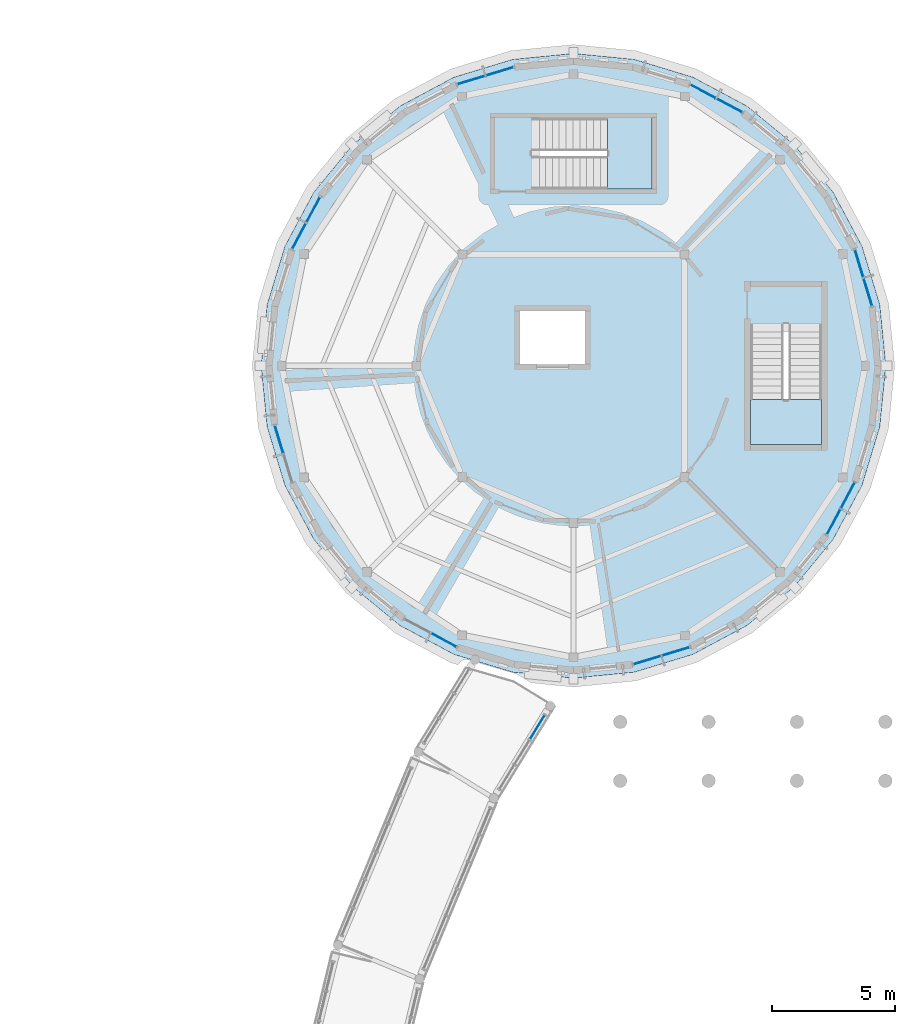
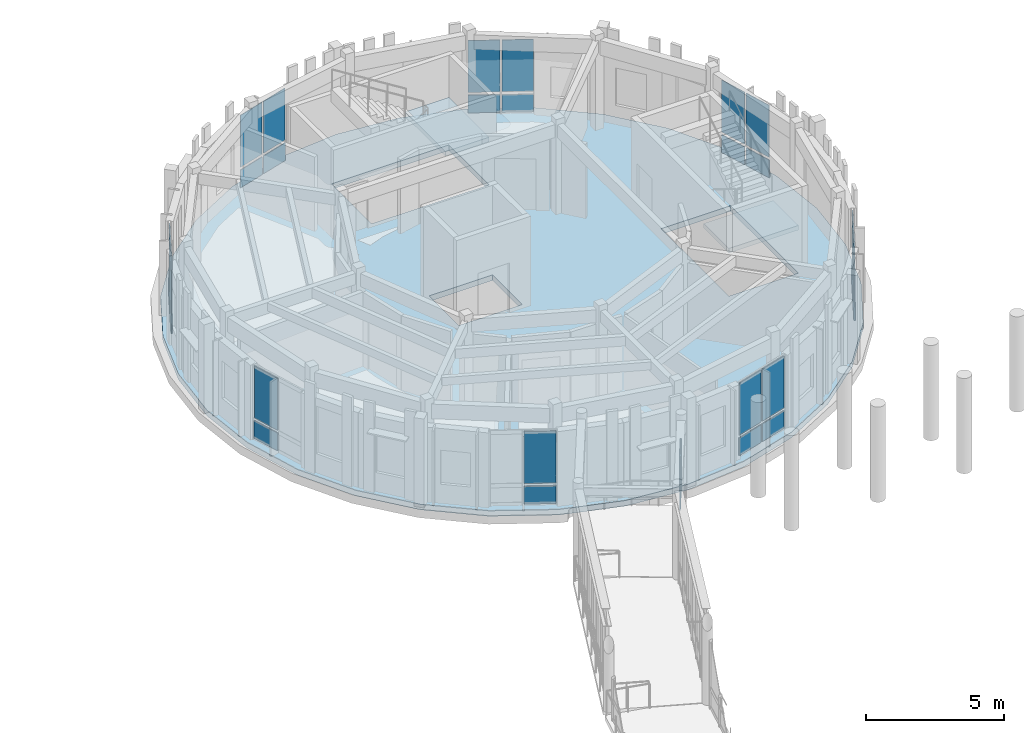
# One storey, part 42 of 80: 29 plates, 3 slabs, 11 elements without a shape of their own.
"""IFC4 building model written with IfcOpenShell, lengths in metres."""

from ifc_helpers import new_model, si_unit, direction, frame, origin, origin_2d, place, context, subcontext, project, spatial, polyline, rectangle, outline, extrude, material, layer, layer_set, type_object, element, aggregate, save


model = new_model("IFC4")

# Units and contexts
model_context = context("Model", 3, precision=1e-05, world=origin(), true_north=direction((0.0, 1.0)))
body_context = subcontext(model_context, "Body", "Model", "MODEL_VIEW")
ifc_project = project(units=[si_unit("LENGTHUNIT", "METRE"), si_unit("AREAUNIT", "SQUARE_METRE"), si_unit("VOLUMEUNIT", "CUBIC_METRE"), si_unit("PLANEANGLEUNIT", "RADIAN"), si_unit("MASSUNIT", "GRAM", prefix="KILO")], contexts=[model_context])

# Site, building, storey
site_placement = place(None, origin())
site = spatial("IfcSite", under=ifc_project, at=site_placement, CompositionType="ELEMENT")
building_placement = place(site_placement, origin())
building = spatial("IfcBuilding", under=site, at=building_placement, Name="Aldenvaro Health Centre", CompositionType="ELEMENT")
storey_placement = place(building_placement, frame((0.0, 0.0, 4.550048828125)))
storey = spatial("IfcBuildingStorey", under=building, at=storey_placement, Name="L01", CompositionType="ELEMENT", Elevation=4.550048828125)

# Curtain wall, plates
ifc_material_1 = material(Name="Anodised Aluminium 6063-T6", Category="aluminium")
ifc_layer_1 = layer(ifc_material_1, 0.195068359375, Name="Anodised Aluminium 6063-T6", Category="aluminium")
ifc_layer_set_1 = layer_set([ifc_layer_1], Name="Anodised Aluminium 6063-T6")
curtain_wall_type_1 = type_object("IfcCurtainWallType", Name="CW-CLN-02", PredefinedType="NOTDEFINED", material=ifc_layer_set_1)
curtain_wall_1_placement = place(storey_placement, origin())
curtain_wall_1 = element("IfcCurtainWall", 1, at=curtain_wall_1_placement, inside=storey, type_object=curtain_wall_type_1, Name="D2 L01 curtain wall bay 03", PredefinedType="NOTDEFINED")
ifc_material_2 = material(Name="Low-E Double Glazing IGU", Category="glass")
ifc_layer_2 = layer(ifc_material_2, 0.028076171875, Name="Low-E Double Glazing IGU", Category="glass")
ifc_layer_set_2 = layer_set([ifc_layer_2], Name="Low-E Double Glazing IGU")
plate_type_1 = type_object("IfcPlateType", Name="CWP-IGU-28", PredefinedType="CURTAIN_PANEL", material=ifc_layer_set_2)
plate_1_placement = place(storey_placement, frame((165.6689453125, 94.218994140625, 0.95947265625), z_axis=(0.0, 0.0, 1.0), x_axis=(-0.471399336159, -0.881919874971, 0.0)))
plate_1 = element("IfcPlate", 2, at=plate_1_placement, type_object=plate_type_1, Name="D2 L01 curtain wall bay 03 vision glazing 1", PredefinedType="CURTAIN_PANEL", context=body_context, shape_type="SweptSolid", body=[
    extrude(rectangle(XDim=1.14599609375, YDim=0.028076171875, at=origin_2d()), origin(), (0.0, 0.0, 1.0), 2.2890625),
])
plate_2_placement = place(storey_placement, frame((165.095947265625, 93.14697265625, 0.95947265625), z_axis=(0.0, 0.0, 1.0), x_axis=(-0.471399336159, -0.881919874971, 0.0)))
plate_2 = element("IfcPlate", 3, at=plate_2_placement, type_object=plate_type_1, Name="D2 L01 curtain wall bay 03 vision glazing 2", PredefinedType="CURTAIN_PANEL", context=body_context, shape_type="SweptSolid", body=[
    extrude(rectangle(XDim=1.14599609375, YDim=0.028076171875, at=origin_2d()), origin(), (0.0, 0.0, 1.0), 2.2890625),
])

curtain_wall_2_placement = place(storey_placement, origin())
curtain_wall_2 = element("IfcCurtainWall", 4, at=curtain_wall_2_placement, inside=storey, type_object=curtain_wall_type_1, Name="D2 L01 curtain wall bay 07", PredefinedType="NOTDEFINED")
plate_3_placement = place(storey_placement, frame((158.6630859375, 87.866943359375, 0.95947265625), z_axis=(0.0, 0.0, 1.0), x_axis=(-0.956892827403, -0.290441245116, 0.0)))
plate_3 = element("IfcPlate", 5, at=plate_3_placement, type_object=plate_type_1, Name="D2 L01 curtain wall bay 07 vision glazing 1", PredefinedType="CURTAIN_PANEL", context=body_context, shape_type="SweptSolid", body=[
    extrude(rectangle(XDim=1.14501953125, YDim=0.028076171875, at=origin_2d()), origin(), (0.0, 0.0, 1.0), 2.2890625),
])
plate_4_placement = place(storey_placement, frame((157.5009765625, 87.513916015625, 0.95947265625), z_axis=(0.0, 0.0, 1.0), x_axis=(-0.956892827403, -0.290441245116, 0.0)))
plate_4 = element("IfcPlate", 6, at=plate_4_placement, type_object=plate_type_1, Name="D2 L01 curtain wall bay 07 vision glazing 2", PredefinedType="CURTAIN_PANEL", context=body_context, shape_type="SweptSolid", body=[
    extrude(rectangle(XDim=1.14501953125, YDim=0.028076171875, at=origin_2d()), origin(), (0.0, 0.0, 1.0), 2.2890625),
])

# Curtain wall, plate
curtain_wall_3_placement = place(storey_placement, origin())
curtain_wall_3 = element("IfcCurtainWall", 7, at=curtain_wall_3_placement, inside=storey, type_object=curtain_wall_type_1, Name="D2 L01 curtain wall bay 11", PredefinedType="NOTDEFINED")
plate_5_placement = place(storey_placement, frame((149.218994140625, 88.3310546875, 0.95947265625), z_axis=(0.0, 0.0, 1.0), x_axis=(-0.881919874971, 0.471399336159, 0.0)))
plate_5 = element("IfcPlate", 8, at=plate_5_placement, type_object=plate_type_1, Name="D2 L01 curtain wall bay 11 vision glazing 1", PredefinedType="CURTAIN_PANEL", context=body_context, shape_type="SweptSolid", body=[
    extrude(rectangle(XDim=1.14599609375, YDim=0.028076171875, at=origin_2d()), origin(), (0.0, 0.0, 1.0), 2.2890625),
])

curtain_wall_4_placement = place(storey_placement, origin())
curtain_wall_4 = element("IfcCurtainWall", 9, at=curtain_wall_4_placement, inside=storey, type_object=curtain_wall_type_1, Name="D2 L01 curtain wall bay 15", PredefinedType="NOTDEFINED")
plate_6_placement = place(storey_placement, frame((142.513916015625, 96.4990234375, 0.95947265625), z_axis=(0.0, 0.0, 1.0), x_axis=(-0.290441245116, 0.956892827403, 0.0)))
plate_6 = element("IfcPlate", 10, at=plate_6_placement, type_object=plate_type_1, Name="D2 L01 curtain wall bay 15 vision glazing 2", PredefinedType="CURTAIN_PANEL", context=body_context, shape_type="SweptSolid", body=[
    extrude(rectangle(XDim=1.14501953125, YDim=0.028076171875, at=origin_2d()), origin(), (0.0, 0.0, 1.0), 2.2890625),
])

# Curtain wall, plates
curtain_wall_5_placement = place(storey_placement, origin())
curtain_wall_5 = element("IfcCurtainWall", 11, at=curtain_wall_5_placement, inside=storey, type_object=curtain_wall_type_1, Name="D2 L01 curtain wall bay 19", PredefinedType="NOTDEFINED")
plate_7_placement = place(storey_placement, frame((143.3310546875, 104.781005859375, 0.95947265625), z_axis=(0.0, 0.0, 1.0), x_axis=(0.471399336159, 0.881919874971, 0.0)))
plate_7 = element("IfcPlate", 12, at=plate_7_placement, type_object=plate_type_1, Name="D2 L01 curtain wall bay 19 vision glazing 1", PredefinedType="CURTAIN_PANEL", context=body_context, shape_type="SweptSolid", body=[
    extrude(rectangle(XDim=1.14599609375, YDim=0.028076171875, at=origin_2d()), origin(), (0.0, 0.0, 1.0), 2.2890625),
])
plate_8_placement = place(storey_placement, frame((143.904052734375, 105.85302734375, 0.95947265625), z_axis=(0.0, 0.0, 1.0), x_axis=(0.471399336159, 0.881919874971, 0.0)))
plate_8 = element("IfcPlate", 13, at=plate_8_placement, type_object=plate_type_1, Name="D2 L01 curtain wall bay 19 vision glazing 2", PredefinedType="CURTAIN_PANEL", context=body_context, shape_type="SweptSolid", body=[
    extrude(rectangle(XDim=1.14599609375, YDim=0.028076171875, at=origin_2d()), origin(), (0.0, 0.0, 1.0), 2.2890625),
])

curtain_wall_6_placement = place(storey_placement, origin())
curtain_wall_6 = element("IfcCurtainWall", 14, at=curtain_wall_6_placement, inside=storey, type_object=curtain_wall_type_1, Name="D2 L01 curtain wall bay 23", PredefinedType="NOTDEFINED")
plate_9_placement = place(storey_placement, frame((150.3369140625, 111.133056640625, 0.95947265625), z_axis=(0.0, 0.0, 1.0), x_axis=(0.956892827403, 0.290441245116, 0.0)))
plate_9 = element("IfcPlate", 15, at=plate_9_placement, type_object=plate_type_1, Name="D2 L01 curtain wall bay 23 vision glazing 1", PredefinedType="CURTAIN_PANEL", context=body_context, shape_type="SweptSolid", body=[
    extrude(rectangle(XDim=1.14501953125, YDim=0.028076171875, at=origin_2d()), origin(), (0.0, 0.0, 1.0), 2.2890625),
])
plate_10_placement = place(storey_placement, frame((151.4990234375, 111.486083984375, 0.95947265625), z_axis=(0.0, 0.0, 1.0), x_axis=(0.956892827403, 0.290441245116, 0.0)))
plate_10 = element("IfcPlate", 16, at=plate_10_placement, type_object=plate_type_1, Name="D2 L01 curtain wall bay 23 vision glazing 2", PredefinedType="CURTAIN_PANEL", context=body_context, shape_type="SweptSolid", body=[
    extrude(rectangle(XDim=1.14501953125, YDim=0.028076171875, at=origin_2d()), origin(), (0.0, 0.0, 1.0), 2.2890625),
])

curtain_wall_7_placement = place(storey_placement, origin())
curtain_wall_7 = element("IfcCurtainWall", 17, at=curtain_wall_7_placement, inside=storey, type_object=curtain_wall_type_1, Name="D2 L01 curtain wall bay 27", PredefinedType="NOTDEFINED")
plate_11_placement = place(storey_placement, frame((159.781005859375, 110.6689453125, 0.95947265625), z_axis=(0.0, 0.0, 1.0), x_axis=(0.881919874971, -0.471399336159, 0.0)))
plate_11 = element("IfcPlate", 18, at=plate_11_placement, type_object=plate_type_1, Name="D2 L01 curtain wall bay 27 vision glazing 1", PredefinedType="CURTAIN_PANEL", context=body_context, shape_type="SweptSolid", body=[
    extrude(rectangle(XDim=1.14599609375, YDim=0.028076171875, at=origin_2d()), origin(), (0.0, 0.0, 1.0), 2.2890625),
])
plate_12_placement = place(storey_placement, frame((160.85302734375, 110.096923828125, 0.95947265625), z_axis=(0.0, 0.0, 1.0), x_axis=(0.881919874971, -0.471399336159, 0.0)))
plate_12 = element("IfcPlate", 19, at=plate_12_placement, type_object=plate_type_1, Name="D2 L01 curtain wall bay 27 vision glazing 2", PredefinedType="CURTAIN_PANEL", context=body_context, shape_type="SweptSolid", body=[
    extrude(rectangle(XDim=1.14599609375, YDim=0.028076171875, at=origin_2d()), origin(), (0.0, 0.0, 1.0), 2.2890625),
])

curtain_wall_8_placement = place(storey_placement, origin())
curtain_wall_8 = element("IfcCurtainWall", 20, at=curtain_wall_8_placement, inside=storey, type_object=curtain_wall_type_1, Name="D2 L01 curtain wall bay 31", PredefinedType="NOTDEFINED")
plate_13_placement = place(storey_placement, frame((166.132080078125, 103.6630859375, 0.95947265625), z_axis=(0.0, 0.0, 1.0), x_axis=(0.290441245116, -0.956892827403, 0.0)))
plate_13 = element("IfcPlate", 21, at=plate_13_placement, type_object=plate_type_1, Name="D2 L01 curtain wall bay 31 vision glazing 1", PredefinedType="CURTAIN_PANEL", context=body_context, shape_type="SweptSolid", body=[
    extrude(rectangle(XDim=1.14501953125, YDim=0.028076171875, at=origin_2d()), origin(), (0.0, 0.0, 1.0), 2.2890625),
])
plate_14_placement = place(storey_placement, frame((166.486083984375, 102.5009765625, 0.95947265625), z_axis=(0.0, 0.0, 1.0), x_axis=(0.290441245116, -0.956892827403, 0.0)))
plate_14 = element("IfcPlate", 22, at=plate_14_placement, type_object=plate_type_1, Name="D2 L01 curtain wall bay 31 vision glazing 2", PredefinedType="CURTAIN_PANEL", context=body_context, shape_type="SweptSolid", body=[
    extrude(rectangle(XDim=1.14501953125, YDim=0.028076171875, at=origin_2d()), origin(), (0.0, 0.0, 1.0), 2.2890625),
])

# Curtain wall, plate
ifc_layer_3 = layer(ifc_material_1, 0.2099609375, Name="Anodised Aluminium 6063-T6", Category="aluminium")
ifc_layer_set_3 = layer_set([ifc_layer_3], Name="Anodised Aluminium 6063-T6")
curtain_wall_type_2 = type_object("IfcCurtainWallType", Name="CW-BRG-03", PredefinedType="NOTDEFINED", material=ifc_layer_set_3)
curtain_wall_9_placement = place(storey_placement, origin())
curtain_wall_9 = element("IfcCurtainWall", 23, at=curtain_wall_9_placement, inside=storey, type_object=curtain_wall_type_2, Name="East Curved Garden Colonnade Arc 1 L01 glazed link wall L-1.1", PredefinedType="NOTDEFINED")
plate_15_placement = place(storey_placement, frame((153.028076171875, 84.783935546875, 0.9599609375), z_axis=(0.0, 0.0, 1.0), x_axis=(-0.522437044215, -0.852677861113, 0.0)))
plate_15 = element("IfcPlate", 24, at=plate_15_placement, type_object=plate_type_1, Name="East Curved Garden Colonnade Arc 1 L01 glazed link wall L-1.1 vision glazing 1", PredefinedType="CURTAIN_PANEL", context=body_context, shape_type="SweptSolid", body=[
    extrude(rectangle(XDim=1.117919921875, YDim=0.028076171875, at=origin_2d()), origin(), (0.0, 0.0, 1.0), 2.389892578125),
])
aggregate(curtain_wall_9, [plate_15])

# Plate
ifc_material_3 = material(Name="Insulated Aluminium Spandrel", Category="aluminium")
ifc_layer_4 = layer(ifc_material_3, 0.035888671875, Name="Insulated Aluminium Spandrel", Category="aluminium")
ifc_layer_set_4 = layer_set([ifc_layer_4], Name="Insulated Aluminium Spandrel")
plate_type_2 = type_object("IfcPlateType", Name="CWP-SPN-36", PredefinedType="CURTAIN_PANEL", material=ifc_layer_set_4)
plate_16_placement = place(storey_placement, frame((165.6689453125, 94.218994140625, 0.06005859375), z_axis=(0.0, 0.0, 1.0), x_axis=(-0.471399336159, -0.881919874971, 0.0)))
plate_16 = element("IfcPlate", 25, at=plate_16_placement, type_object=plate_type_2, Name="D2 L01 curtain wall bay 03 spandrel panel 1", PredefinedType="CURTAIN_PANEL", context=body_context, shape_type="SweptSolid", body=[
    extrude(rectangle(XDim=1.14599609375, YDim=0.035888671875, at=origin_2d()), origin(), (0.0, 0.0, 1.0), 0.780029296875),
])

plate_17_placement = place(storey_placement, frame((165.095947265625, 93.14697265625, 0.06005859375), z_axis=(0.0, 0.0, 1.0), x_axis=(-0.471399336159, -0.881919874971, 0.0)))
plate_17 = element("IfcPlate", 26, at=plate_17_placement, type_object=plate_type_2, Name="D2 L01 curtain wall bay 03 spandrel panel 2", PredefinedType="CURTAIN_PANEL", context=body_context, shape_type="SweptSolid", body=[
    extrude(rectangle(XDim=1.14599609375, YDim=0.035888671875, at=origin_2d()), origin(), (0.0, 0.0, 1.0), 0.780029296875),
])

aggregate(curtain_wall_1, [plate_16, plate_1, plate_17, plate_2])

plate_18_placement = place(storey_placement, frame((158.6630859375, 87.866943359375, 0.06005859375), z_axis=(0.0, 0.0, 1.0), x_axis=(-0.956892827403, -0.290441245116, 0.0)))
plate_18 = element("IfcPlate", 27, at=plate_18_placement, type_object=plate_type_2, Name="D2 L01 curtain wall bay 07 spandrel panel 1", PredefinedType="CURTAIN_PANEL", context=body_context, shape_type="SweptSolid", body=[
    extrude(rectangle(XDim=1.14501953125, YDim=0.035888671875, at=origin_2d()), origin(), (0.0, 0.0, 1.0), 0.780029296875),
])

plate_19_placement = place(storey_placement, frame((157.5009765625, 87.513916015625, 0.06005859375), z_axis=(0.0, 0.0, 1.0), x_axis=(-0.956892827403, -0.290441245116, 0.0)))
plate_19 = element("IfcPlate", 28, at=plate_19_placement, type_object=plate_type_2, Name="D2 L01 curtain wall bay 07 spandrel panel 2", PredefinedType="CURTAIN_PANEL", context=body_context, shape_type="SweptSolid", body=[
    extrude(rectangle(XDim=1.14501953125, YDim=0.035888671875, at=origin_2d()), origin(), (0.0, 0.0, 1.0), 0.780029296875),
])

aggregate(curtain_wall_2, [plate_18, plate_3, plate_19, plate_4])

plate_20_placement = place(storey_placement, frame((149.218994140625, 88.3310546875, 0.06005859375), z_axis=(0.0, 0.0, 1.0), x_axis=(-0.881919874971, 0.471399336159, 0.0)))
plate_20 = element("IfcPlate", 29, at=plate_20_placement, type_object=plate_type_2, Name="D2 L01 curtain wall bay 11 spandrel panel 1", PredefinedType="CURTAIN_PANEL", context=body_context, shape_type="SweptSolid", body=[
    extrude(rectangle(XDim=1.14599609375, YDim=0.035888671875, at=origin_2d()), origin(), (0.0, 0.0, 1.0), 0.780029296875),
])

aggregate(curtain_wall_3, [plate_20, plate_5])

plate_21_placement = place(storey_placement, frame((142.513916015625, 96.4990234375, 0.06005859375), z_axis=(0.0, 0.0, 1.0), x_axis=(-0.290441245116, 0.956892827403, 0.0)))
plate_21 = element("IfcPlate", 30, at=plate_21_placement, type_object=plate_type_2, Name="D2 L01 curtain wall bay 15 spandrel panel 2", PredefinedType="CURTAIN_PANEL", context=body_context, shape_type="SweptSolid", body=[
    extrude(rectangle(XDim=1.14501953125, YDim=0.035888671875, at=origin_2d()), origin(), (0.0, 0.0, 1.0), 0.780029296875),
])

aggregate(curtain_wall_4, [plate_21, plate_6])

plate_22_placement = place(storey_placement, frame((143.3310546875, 104.781005859375, 0.06005859375), z_axis=(0.0, 0.0, 1.0), x_axis=(0.471399336159, 0.881919874971, 0.0)))
plate_22 = element("IfcPlate", 31, at=plate_22_placement, type_object=plate_type_2, Name="D2 L01 curtain wall bay 19 spandrel panel 1", PredefinedType="CURTAIN_PANEL", context=body_context, shape_type="SweptSolid", body=[
    extrude(rectangle(XDim=1.14599609375, YDim=0.035888671875, at=origin_2d()), origin(), (0.0, 0.0, 1.0), 0.780029296875),
])

plate_23_placement = place(storey_placement, frame((143.904052734375, 105.85302734375, 0.06005859375), z_axis=(0.0, 0.0, 1.0), x_axis=(0.471399336159, 0.881919874971, 0.0)))
plate_23 = element("IfcPlate", 32, at=plate_23_placement, type_object=plate_type_2, Name="D2 L01 curtain wall bay 19 spandrel panel 2", PredefinedType="CURTAIN_PANEL", context=body_context, shape_type="SweptSolid", body=[
    extrude(rectangle(XDim=1.14599609375, YDim=0.035888671875, at=origin_2d()), origin(), (0.0, 0.0, 1.0), 0.780029296875),
])

aggregate(curtain_wall_5, [plate_22, plate_7, plate_23, plate_8])

plate_24_placement = place(storey_placement, frame((150.3369140625, 111.133056640625, 0.06005859375), z_axis=(0.0, 0.0, 1.0), x_axis=(0.956892827403, 0.290441245116, 0.0)))
plate_24 = element("IfcPlate", 33, at=plate_24_placement, type_object=plate_type_2, Name="D2 L01 curtain wall bay 23 spandrel panel 1", PredefinedType="CURTAIN_PANEL", context=body_context, shape_type="SweptSolid", body=[
    extrude(rectangle(XDim=1.14501953125, YDim=0.035888671875, at=origin_2d()), origin(), (0.0, 0.0, 1.0), 0.780029296875),
])

plate_25_placement = place(storey_placement, frame((151.4990234375, 111.486083984375, 0.06005859375), z_axis=(0.0, 0.0, 1.0), x_axis=(0.956892827403, 0.290441245116, 0.0)))
plate_25 = element("IfcPlate", 34, at=plate_25_placement, type_object=plate_type_2, Name="D2 L01 curtain wall bay 23 spandrel panel 2", PredefinedType="CURTAIN_PANEL", context=body_context, shape_type="SweptSolid", body=[
    extrude(rectangle(XDim=1.14501953125, YDim=0.035888671875, at=origin_2d()), origin(), (0.0, 0.0, 1.0), 0.780029296875),
])

aggregate(curtain_wall_6, [plate_24, plate_9, plate_25, plate_10])

plate_26_placement = place(storey_placement, frame((159.781005859375, 110.6689453125, 0.06005859375), z_axis=(0.0, 0.0, 1.0), x_axis=(0.881919874971, -0.471399336159, 0.0)))
plate_26 = element("IfcPlate", 35, at=plate_26_placement, type_object=plate_type_2, Name="D2 L01 curtain wall bay 27 spandrel panel 1", PredefinedType="CURTAIN_PANEL", context=body_context, shape_type="SweptSolid", body=[
    extrude(rectangle(XDim=1.14599609375, YDim=0.035888671875, at=origin_2d()), origin(), (0.0, 0.0, 1.0), 0.780029296875),
])

plate_27_placement = place(storey_placement, frame((160.85302734375, 110.096923828125, 0.06005859375), z_axis=(0.0, 0.0, 1.0), x_axis=(0.881919874971, -0.471399336159, 0.0)))
plate_27 = element("IfcPlate", 36, at=plate_27_placement, type_object=plate_type_2, Name="D2 L01 curtain wall bay 27 spandrel panel 2", PredefinedType="CURTAIN_PANEL", context=body_context, shape_type="SweptSolid", body=[
    extrude(rectangle(XDim=1.14599609375, YDim=0.035888671875, at=origin_2d()), origin(), (0.0, 0.0, 1.0), 0.780029296875),
])

aggregate(curtain_wall_7, [plate_26, plate_11, plate_27, plate_12])

plate_28_placement = place(storey_placement, frame((166.132080078125, 103.6630859375, 0.06005859375), z_axis=(0.0, 0.0, 1.0), x_axis=(0.290441245116, -0.956892827403, 0.0)))
plate_28 = element("IfcPlate", 37, at=plate_28_placement, type_object=plate_type_2, Name="D2 L01 curtain wall bay 31 spandrel panel 1", PredefinedType="CURTAIN_PANEL", context=body_context, shape_type="SweptSolid", body=[
    extrude(rectangle(XDim=1.14501953125, YDim=0.035888671875, at=origin_2d()), origin(), (0.0, 0.0, 1.0), 0.780029296875),
])

plate_29_placement = place(storey_placement, frame((166.486083984375, 102.5009765625, 0.06005859375), z_axis=(0.0, 0.0, 1.0), x_axis=(0.290441245116, -0.956892827403, 0.0)))
plate_29 = element("IfcPlate", 38, at=plate_29_placement, type_object=plate_type_2, Name="D2 L01 curtain wall bay 31 spandrel panel 2", PredefinedType="CURTAIN_PANEL", context=body_context, shape_type="SweptSolid", body=[
    extrude(rectangle(XDim=1.14501953125, YDim=0.035888671875, at=origin_2d()), origin(), (0.0, 0.0, 1.0), 0.780029296875),
])

aggregate(curtain_wall_8, [plate_28, plate_13, plate_29, plate_14])

# Slab
ifc_material_4 = material(Name="Cross-laminated timber CLT E1", Category="wood")
ifc_layer_5 = layer(ifc_material_4, 0.2451171875, Name="Cross-laminated timber CLT E1", Category="wood")
ifc_layer_set_5 = layer_set([ifc_layer_5], Name="Cross-laminated timber CLT E1")
slab_type_1 = type_object("IfcSlabType", Name="SLB-CLT-245", PredefinedType="FLOOR", material=ifc_layer_set_5)
slab_1_placement = place(storey_placement, frame((0.0, 0.0, -0.2451171875)))
element("IfcSlab", 39, at=slab_1_placement, inside=storey, type_object=slab_type_1, Name="D2 L01 floor slab", PredefinedType="FLOOR", context=body_context, shape_type="SweptSolid", body=[
    extrude(outline(polyline([(167.219970703125, 99.5), (166.97607421875, 101.98193359375), (166.251953125, 104.367919921875), (165.075927734375, 106.56689453125), (163.493896484375, 108.493896484375), (161.56689453125, 110.075927734375), (159.367919921875, 111.251953125), (156.98193359375, 111.97607421875), (154.5, 112.219970703125), (152.01806640625, 111.97607421875), (149.632080078125, 111.251953125), (147.43310546875, 110.075927734375), (145.506103515625, 108.493896484375), (143.924072265625, 106.56689453125), (142.748046875, 104.367919921875), (142.02392578125, 101.98193359375), (141.780029296875, 99.5), (142.02392578125, 97.01806640625), (142.748046875, 94.632080078125), (143.924072265625, 92.43310546875), (145.506103515625, 90.506103515625), (147.43310546875, 88.924072265625), (149.632080078125, 87.748046875), (152.01806640625, 87.02392578125), (154.5, 86.780029296875), (156.98193359375, 87.02392578125), (159.367919921875, 87.748046875), (161.56689453125, 88.924072265625), (163.493896484375, 90.506103515625), (165.075927734375, 92.43310546875), (166.251953125, 94.632080078125), (166.97607421875, 97.01806640625), (167.219970703125, 99.5)]), holes=[polyline([(161.699951171875, 101.199951171875), (161.699951171875, 96.300048828125), (164.60009765625, 96.300048828125), (164.60009765625, 101.199951171875), (161.699951171875, 101.199951171875)]), polyline([(152.800048828125, 106.699951171875), (157.699951171875, 106.699951171875), (157.699951171875, 109.60009765625), (152.800048828125, 109.60009765625), (152.800048828125, 106.699951171875)]), polyline([(152.324951171875, 99.574951171875), (154.97509765625, 99.574951171875), (154.97509765625, 101.72509765625), (152.324951171875, 101.72509765625), (152.324951171875, 99.574951171875)])]), origin(), (0.0, 0.0, 1.0), 0.2451171875),
])

# Stair, slab
ifc_material_5 = material(Name="Concrete f'c 40 MPa", Category="concrete")
stair_type = type_object("IfcStairType", Name="STR-DOG-420", PredefinedType="HALF_TURN_STAIR", material=ifc_material_5)
stair_1_placement = place(storey_placement, origin())
stair_1 = element("IfcStair", 40, at=stair_1_placement, inside=storey, type_object=stair_type, Name="L01 Exit Stair ST-03", PredefinedType="HALF_TURN_STAIR")
ifc_layer_6 = layer(ifc_material_5, 0.199951171875, Name="Concrete f'c 40 MPa", Category="concrete")
ifc_layer_set_6 = layer_set([ifc_layer_6], Name="Concrete f'c 40 MPa")
slab_type_2 = type_object("IfcSlabType", Name="SLB-LND-200", PredefinedType="LANDING", material=ifc_layer_set_6)
slab_2_placement = place(storey_placement, frame((0.0, 0.0, 1.89990234375)))
slab_2 = element("IfcSlab", 41, at=slab_2_placement, type_object=slab_type_2, Name="ST-03 landing 1", PredefinedType="LANDING", context=body_context, shape_type="SweptSolid", body=[
    extrude(outline(polyline([(161.699951171875, 98.1201171875), (161.699951171875, 96.300048828125), (164.60009765625, 96.300048828125), (164.60009765625, 98.1201171875), (161.699951171875, 98.1201171875)])), origin(), (0.0, 0.0, 1.0), 0.199951171875),
])
aggregate(stair_1, [slab_2])

stair_2_placement = place(storey_placement, origin())
stair_2 = element("IfcStair", 42, at=stair_2_placement, inside=storey, type_object=stair_type, Name="L01 Exit Stair ST-04", PredefinedType="HALF_TURN_STAIR")
slab_3_placement = place(storey_placement, frame((0.0, 0.0, 1.89990234375)))
slab_3 = element("IfcSlab", 43, at=slab_3_placement, type_object=slab_type_2, Name="ST-04 landing 1", PredefinedType="LANDING", context=body_context, shape_type="SweptSolid", body=[
    extrude(outline(polyline([(155.8798828125, 106.699951171875), (157.699951171875, 106.699951171875), (157.699951171875, 109.60009765625), (155.8798828125, 109.60009765625), (155.8798828125, 106.699951171875)])), origin(), (0.0, 0.0, 1.0), 0.199951171875),
])
aggregate(stair_2, [slab_3])

save(model, "model.ifc")
